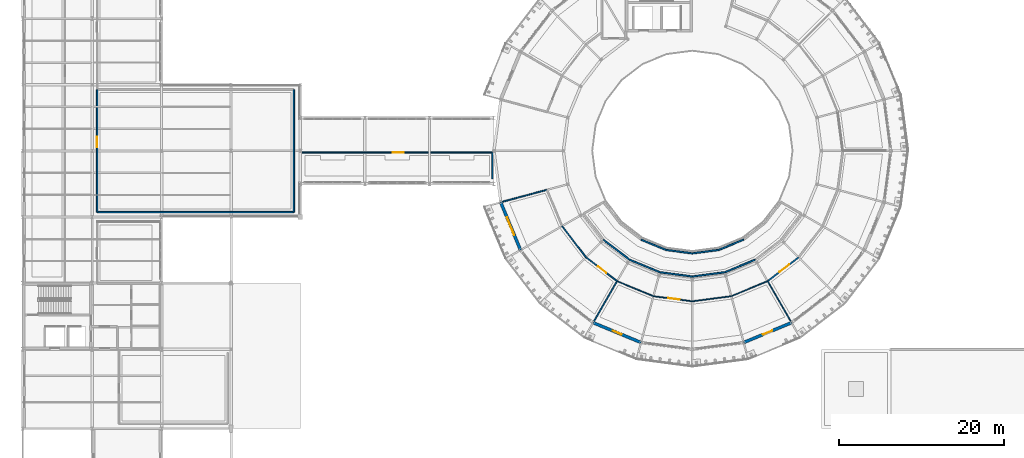
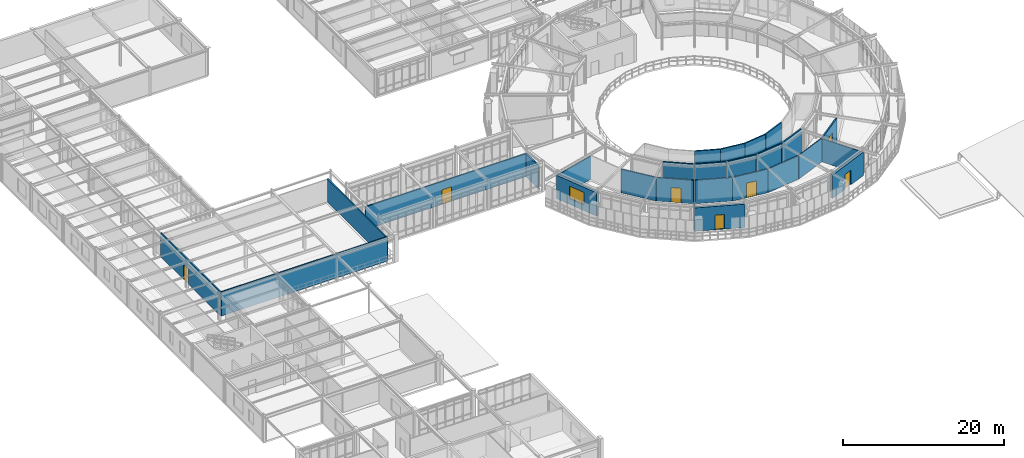
# One storey, part 73 of 90: 27 walls, 7 doors, 1 window, 8 openings.
"""IFC4 building model written with IfcOpenShell, lengths in metres."""

from ifc_helpers import new_model, si_unit, derived_unit, direction, frame, frame_2d, origin, place, context, subcontext, project, spatial, rectangle, extrude, material, layer, layer_set, type_object, element, fill, save


model = new_model("IFC4")

# Units and contexts
model_context = context("Model", 3, precision=1e-05, world=origin(), true_north=direction((0.0, 1.0)))
body_context = subcontext(model_context, "Body", "Model", "MODEL_VIEW")
ifc_project = project(units=[si_unit("LENGTHUNIT", "METRE"), si_unit("AREAUNIT", "SQUARE_METRE"), si_unit("VOLUMEUNIT", "CUBIC_METRE"), si_unit("PLANEANGLEUNIT", "RADIAN"), si_unit("MASSUNIT", "GRAM", prefix="KILO"), derived_unit("THERMALTRANSMITTANCEUNIT", [(si_unit("POWERUNIT", "WATT"), 1), (si_unit("AREAUNIT", "SQUARE_METRE"), -1), (si_unit("THERMODYNAMICTEMPERATUREUNIT", "KELVIN"), -1)])], contexts=[model_context])

# Site, building, storey
site_placement = place(None, origin())
site = spatial("IfcSite", under=ifc_project, at=site_placement, CompositionType="ELEMENT")
building_placement = place(site_placement, origin())
building = spatial("IfcBuilding", under=site, at=building_placement, Name="Yasenodar Specialist Clinic", CompositionType="ELEMENT")
storey_placement = place(building_placement, frame((0.0, 0.0, 9.0)))
storey = spatial("IfcBuildingStorey", under=building, at=storey_placement, Name="L02", CompositionType="ELEMENT", Elevation=9.0)

# Wall, opening, window
ifc_material_1 = material(Name="Drum Insulated Terracotta Chord Wall", Category="masonry")
ifc_layer_1 = layer(ifc_material_1, 0.364990234375)
ifc_layer_set_1 = layer_set([ifc_layer_1], Name="Drum Insulated Terracotta Chord Wall")
wall_type_1 = type_object("IfcWallType", Name="EW-DRUM-365", PredefinedType="SOLIDWALL", material=ifc_layer_set_1)
wall_1_placement = place(storey_placement, frame((60.21533203125, 46.800048828125, 0.0), z_axis=(0.0, 0.0, 1.0), x_axis=(-0.382663829839, 0.9238876519, 0.0)))
wall_1 = element("IfcWall", 1, at=wall_1_placement, inside=storey, type_object=wall_type_1, Name="L02 Exterior Facade Wall 0020", PredefinedType="SOLIDWALL", context=body_context, shape_type="SweptSolid", body=[
    extrude(rectangle(XDim=6.26513671875, YDim=0.364990234375, at=frame_2d((3.132568359375, 0.0))), origin(), (0.0, 0.0, 1.0), 3.5380859375),
])
opening_1_placement = place(wall_1_placement, frame((1.982666015625, 0.0, 0.85009765625)))
opening_1 = element("IfcOpeningElement", 2, at=opening_1_placement, cuts=wall_1, Name="Opening W-18", PredefinedType="OPENING", context=body_context, shape_type="SweptSolid", body=[
    extrude(rectangle(XDim=2.300048828125, YDim=1.89990234375, at=frame_2d((1.14990234375, 0.949951171875))), frame((0.0, 0.1923828125, 0.0), z_axis=(0.0, -1.0, 0.0), x_axis=(1.0, 0.0, 0.0)), (0.0, 0.0, 1.0), 0.385009765625),
])
ifc_material_2 = material(Name="Triple Low-E Argon Glazing in Bronze Aluminium Frame", Category="aluminium")
window_type = type_object("IfcWindowType", Name="WIN-EXT-18", PartitioningType="SINGLE_PANEL", PredefinedType="WINDOW", material=ifc_material_2)
window_placement = place(opening_1_placement, origin())
window = element("IfcWindow", 3, at=window_placement, inside=storey, type_object=window_type, Name="L02 Triple-Glazed Reveal Window 0012", OverallHeight=1.89990234375, OverallWidth=2.300048828125, PartitioningType="SINGLE_PANEL", PredefinedType="WINDOW", context=body_context, shape_type="SweptSolid", body=[
    extrude(rectangle(XDim=2.300048828125, YDim=1.89990234375, at=frame_2d((1.14990234375, 0.949951171875))), frame((0.0, 0.030029296875, 0.0), z_axis=(0.0, -1.0, 0.0), x_axis=(1.0, 0.0, 0.0)), (0.0, 0.0, 1.0), 0.06005859375),
])
fill(opening_1, window)

# Wall, opening, door
wall_2_placement = place(storey_placement, frame((74.788330078125, 35.617919921875, 0.0), z_axis=(0.0, 0.0, 1.0), x_axis=(-0.9238876519, 0.382663829839, 0.0)))
wall_2 = element("IfcWall", 4, at=wall_2_placement, inside=storey, type_object=wall_type_1, Name="L02 Exterior Facade Wall 0021", PredefinedType="SOLIDWALL", context=body_context, shape_type="SweptSolid", body=[
    extrude(rectangle(XDim=6.26513671875, YDim=0.364990234375, at=frame_2d((3.132568359375, 0.0))), origin(), (0.0, 0.0, 1.0), 3.5380859375),
])
opening_2_placement = place(wall_2_placement, frame((2.5576171875, 0.0, 0.0)))
opening_2 = element("IfcOpeningElement", 5, at=opening_2_placement, cuts=wall_2, Name="Opening BD-02", PredefinedType="OPENING", context=body_context, shape_type="SweptSolid", body=[
    extrude(rectangle(XDim=1.14990234375, YDim=2.199951171875, at=frame_2d((0.574951171875, 1.10009765625))), frame((0.0, 0.1923828125, 0.0), z_axis=(0.0, -1.0, 0.0), x_axis=(1.0, 0.0, 0.0)), (0.0, 0.0, 1.0), 0.385009765625),
])
ifc_material_3 = material(Name="Thermally Broken Bronze Anodized Aluminium and Laminated Glass", Category="aluminium")
door_type_1 = type_object("IfcDoorType", Name="DR-BALC-115", OperationType="NOTDEFINED", PredefinedType="DOOR", material=ifc_material_3)
door_1_placement = place(opening_2_placement, origin())
door_1 = element("IfcDoor", 6, at=door_1_placement, inside=storey, type_object=door_type_1, Name="L02 Drum Balcony Access Door Sector 16", OperationType="SINGLE_SWING_LEFT", OverallHeight=2.199951171875, OverallWidth=1.14990234375, PredefinedType="DOOR", context=body_context, shape_type="SweptSolid", body=[
    extrude(rectangle(XDim=1.14990234375, YDim=2.199951171875, at=frame_2d((0.574951171875, 1.10009765625))), frame((0.0, 0.02490234375, 0.0), z_axis=(0.0, -1.0, 0.0), x_axis=(1.0, 0.0, 0.0)), (0.0, 0.0, 1.0), 0.050048828125),
])
fill(opening_2, door_1)

wall_3_placement = place(storey_placement, frame((93.0, 38.015380859375, 0.0), z_axis=(0.0, 0.0, 1.0), x_axis=(-0.9238876519, -0.382663829839, 0.0)))
wall_3 = element("IfcWall", 7, at=wall_3_placement, inside=storey, type_object=wall_type_1, Name="L02 Exterior Facade Wall 0022", PredefinedType="SOLIDWALL", context=body_context, shape_type="SweptSolid", body=[
    extrude(rectangle(XDim=6.26513671875, YDim=0.364990234375, at=frame_2d((3.132568359375, 0.0))), origin(), (0.0, 0.0, 1.0), 3.5380859375),
])
opening_3_placement = place(wall_3_placement, frame((2.522705078125, 0.0, 0.0)))
opening_3 = element("IfcOpeningElement", 8, at=opening_3_placement, cuts=wall_3, Name="Opening BD-03", PredefinedType="OPENING", context=body_context, shape_type="SweptSolid", body=[
    extrude(rectangle(XDim=1.219970703125, YDim=2.219970703125, at=frame_2d((0.60986328125, 1.10986328125))), frame((0.0, 0.1923828125, 0.0), z_axis=(0.0, -1.0, 0.0), x_axis=(1.0, 0.0, 0.0)), (0.0, 0.0, 1.0), 0.385009765625),
])
door_type_2 = type_object("IfcDoorType", Name="DR-BALC-122", OperationType="NOTDEFINED", PredefinedType="DOOR", material=ifc_material_3)
door_2_placement = place(opening_3_placement, origin())
door_2 = element("IfcDoor", 9, at=door_2_placement, inside=storey, type_object=door_type_2, Name="L02 Drum Balcony Access Door Sector 19", OperationType="SINGLE_SWING_RIGHT", OverallHeight=2.219970703125, OverallWidth=1.219970703125, PredefinedType="DOOR", context=body_context, shape_type="SweptSolid", body=[
    extrude(rectangle(XDim=1.219970703125, YDim=2.219970703125, at=frame_2d((0.60986328125, 1.10986328125))), frame((0.0, 0.02490234375, 0.0), z_axis=(0.0, -1.0, 0.0), x_axis=(1.0, 0.0, 0.0)), (0.0, 0.0, 1.0), 0.050048828125),
])
fill(opening_3, door_2)

ifc_material_4 = material(Name="Outpatient Examination Partition")
ifc_layer_2 = layer(ifc_material_4, 0.14990234375)
ifc_layer_set_2 = layer_set([ifc_layer_2], Name="Outpatient Examination Partition")
wall_type_2 = type_object("IfcWallType", Name="IW-CONS-150", PredefinedType="PARTITIONING", material=ifc_layer_set_2)
wall_4_placement = place(storey_placement, frame((68.130615234375, 45.9306640625, 0.0), z_axis=(0.0, 0.0, 1.0), x_axis=(0.793347417989, -0.608769147025, 0.0)))
wall_4 = element("IfcWall", 10, at=wall_4_placement, inside=storey, type_object=wall_type_2, Name="L02 Neurology Day-Infusion Suite Partition", PredefinedType="PARTITIONING", context=body_context, shape_type="SweptSolid", body=[
    extrude(rectangle(XDim=4.751220703125, YDim=0.14990234375, at=frame_2d((2.37548828125, 0.0))), origin(), (0.0, 0.0, 1.0), 3.568115234375),
])
opening_4_placement = place(wall_4_placement, frame((1.82568359375, 0.0, 0.0)))
opening_4 = element("IfcOpeningElement", 11, at=opening_4_placement, cuts=wall_4, Name="Opening D-08", PredefinedType="OPENING", context=body_context, shape_type="SweptSolid", body=[
    extrude(rectangle(XDim=1.280029296875, YDim=2.219970703125, at=frame_2d((0.64013671875, 1.10986328125))), frame((0.0, 0.0849609375, 0.0), z_axis=(0.0, -1.0, 0.0), x_axis=(1.0, 0.0, 0.0)), (0.0, 0.0, 1.0), 0.169921875),
])
ifc_material_5 = material(Name="Powder-Coated Steel and Acoustic Laminate Leaf", Category="steel")
door_type_3 = type_object("IfcDoorType", Name="DR-CLN-128", OperationType="NOTDEFINED", PredefinedType="DOOR", material=ifc_material_5)
door_3_placement = place(opening_4_placement, origin())
door_3 = element("IfcDoor", 12, at=door_3_placement, inside=storey, type_object=door_type_3, Name="L02 Neurology Day-Infusion Suite Door", OperationType="SINGLE_SWING_LEFT", OverallHeight=2.219970703125, OverallWidth=1.280029296875, PredefinedType="DOOR", context=body_context, shape_type="SweptSolid", body=[
    extrude(rectangle(XDim=1.280029296875, YDim=2.219970703125, at=frame_2d((0.64013671875, 1.10986328125))), frame((0.0, 0.02490234375, 0.0), z_axis=(0.0, -1.0, 0.0), x_axis=(1.0, 0.0, 0.0)), (0.0, 0.0, 1.0), 0.050048828125),
])
fill(opening_4, door_3)

# Walls
wall_5_placement = place(storey_placement, frame((65.23828125, 49.699951171875, 0.0), z_axis=(0.0, 0.0, 1.0), x_axis=(0.608769147025, -0.793347417989, 0.0)))
element("IfcWall", 13, at=wall_5_placement, inside=storey, type_object=wall_type_2, Name="L02 Neurology Day-Infusion Suite Partition", PredefinedType="PARTITIONING", context=body_context, shape_type="SweptSolid", body=[
    extrude(rectangle(XDim=4.751220703125, YDim=0.14990234375, at=frame_2d((2.37548828125, 0.0))), origin(), (0.0, 0.0, 1.0), 3.568115234375),
])
for number, where, z_axis, x_axis, name in (
    (14, (71.89990234375, 43.038330078125, 0.0), (0.0, 0.0, 1.0), (-0.499987440211, -0.86603265506, 0.0), "L02 Neurology Day-Infusion Suite Partition"),
    (15, (57.976318359375, 52.630859375, 0.0), (0.0, 0.0, 1.0), (0.965922914043, 0.258829913508, 0.0), "L02 Neurology Day-Infusion Suite Partition"),
):
    element("IfcWall", number, at=place(storey_placement, frame(where, z_axis=z_axis, x_axis=x_axis)), inside=storey, type_object=wall_type_2, Name=name, PredefinedType="PARTITIONING", context=body_context, shape_type="SweptSolid", body=[
        extrude(rectangle(XDim=5.635986328125, YDim=0.14990234375, at=frame_2d((2.81787109375, 0.0))), origin(), (0.0, 0.0, 1.0), 3.5380859375),
    ])

# Wall, opening, door
ifc_material_6 = material(Name="Cleanroom Laboratory Partition")
ifc_layer_3 = layer(ifc_material_6, 0.169921875)
ifc_layer_set_3 = layer_set([ifc_layer_3], Name="Cleanroom Laboratory Partition")
wall_type_3 = type_object("IfcWallType", Name="IW-LAB-170", PredefinedType="PARTITIONING", material=ifc_layer_set_3)
wall_6_placement = place(storey_placement, frame((33.800048828125, 58.60009765625, 0.0), z_axis=(0.0, 0.0, 1.0), x_axis=(1.0, 0.0, 0.0)))
wall_6 = element("IfcWall", 16, at=wall_6_placement, inside=storey, type_object=wall_type_3, Name="L02 Upper Light Bridge Daylit Gallery Partition", PredefinedType="PARTITIONING", context=body_context, shape_type="SweptSolid", body=[
    extrude(rectangle(XDim=23.0, YDim=0.169921875, at=frame_2d((11.5, 0.0))), origin(), (0.0, 0.0, 1.0), 3.47802734375),
])
opening_5_placement = place(wall_6_placement, frame((10.949951171875, 0.0, 0.0)))
opening_5 = element("IfcOpeningElement", 17, at=opening_5_placement, cuts=wall_6, Name="Opening D-11", PredefinedType="OPENING", context=body_context, shape_type="SweptSolid", body=[
    extrude(rectangle(XDim=1.360107421875, YDim=2.199951171875, at=frame_2d((0.68017578125, 1.10009765625))), frame((0.0, 0.094970703125, 0.0), z_axis=(0.0, -1.0, 0.0), x_axis=(1.0, 0.0, 0.0)), (0.0, 0.0, 1.0), 0.18994140625),
])
door_type_4 = type_object("IfcDoorType", Name="DR-PLT-136", OperationType="NOTDEFINED", PredefinedType="DOOR", material=ifc_material_5)
door_4_placement = place(opening_5_placement, origin())
door_4 = element("IfcDoor", 18, at=door_4_placement, inside=storey, type_object=door_type_4, Name="L02 Upper Light Bridge Daylit Gallery Door", OperationType="SINGLE_SWING_LEFT", OverallHeight=2.199951171875, OverallWidth=1.360107421875, PredefinedType="DOOR", context=body_context, shape_type="SweptSolid", body=[
    extrude(rectangle(XDim=1.360107421875, YDim=2.199951171875, at=frame_2d((0.68017578125, 1.10009765625))), frame((0.0, 0.02490234375, 0.0), z_axis=(0.0, -1.0, 0.0), x_axis=(1.0, 0.0, 0.0)), (0.0, 0.0, 1.0), 0.050048828125),
])
fill(opening_5, door_4)

# Wall
wall_7_placement = place(storey_placement, frame((56.800048828125, 58.60009765625, 0.0), z_axis=(0.0, 0.0, 1.0), x_axis=(0.0, -1.0, 0.0)))
element("IfcWall", 19, at=wall_7_placement, inside=storey, type_object=wall_type_3, Name="L02 Upper Light Bridge Daylit Gallery Partition", PredefinedType="PARTITIONING", context=body_context, shape_type="SweptSolid", body=[
    extrude(rectangle(XDim=3.2001953125, YDim=0.169921875, at=frame_2d((1.60009765625, 0.0))), origin(), (0.0, 0.0, 1.0), 3.5380859375),
])

# Wall, opening, door
ifc_material_7 = material(Name="Clinical Sub-Division Partition")
ifc_layer_4 = layer(ifc_material_7, 0.125)
ifc_layer_set_4 = layer_set([ifc_layer_4], Name="Clinical Sub-Division Partition")
wall_type_4 = type_object("IfcWallType", Name="IW-PART-125", PredefinedType="PARTITIONING", material=ifc_layer_set_4)
wall_8_placement = place(storey_placement, frame((76.28955078125, 41.22021484375, 0.0), z_axis=(0.0, 0.0, 1.0), x_axis=(0.991445548214, -0.130520975042, 0.0)))
wall_8 = element("IfcWall", 20, at=wall_8_placement, inside=storey, type_object=wall_type_4, Name="L02 Rheumatology Infusion Suite Partition", PredefinedType="PARTITIONING", context=body_context, shape_type="SweptSolid", body=[
    extrude(rectangle(XDim=4.7509765625, YDim=0.125, at=frame_2d((2.37548828125, 0.0))), origin(), (0.0, 0.0, 1.0), 3.568115234375),
])
opening_6_placement = place(wall_8_placement, frame((1.82568359375, 0.0, 0.0)))
opening_6 = element("IfcOpeningElement", 21, at=opening_6_placement, cuts=wall_8, Name="Opening D-11", PredefinedType="OPENING", context=body_context, shape_type="SweptSolid", body=[
    extrude(rectangle(XDim=1.360107421875, YDim=2.199951171875, at=frame_2d((0.68017578125, 1.10009765625))), frame((0.0, 0.072509765625, 0.0), z_axis=(0.0, -1.0, 0.0), x_axis=(1.0, 0.0, 0.0)), (0.0, 0.0, 1.0), 0.14501953125),
])
door_5_placement = place(opening_6_placement, origin())
door_5 = element("IfcDoor", 22, at=door_5_placement, inside=storey, type_object=door_type_4, Name="L02 Rheumatology Infusion Suite Door", OperationType="SINGLE_SWING_RIGHT", OverallHeight=2.199951171875, OverallWidth=1.360107421875, PredefinedType="DOOR", context=body_context, shape_type="SweptSolid", body=[
    extrude(rectangle(XDim=1.360107421875, YDim=2.199951171875, at=frame_2d((0.68017578125, 1.10009765625))), frame((0.0, 0.02490234375, 0.0), z_axis=(0.0, -1.0, 0.0), x_axis=(1.0, 0.0, 0.0)), (0.0, 0.0, 1.0), 0.050048828125),
])
fill(opening_6, door_5)

# Walls
wall_9_placement = place(storey_placement, frame((81.0, 40.60009765625, 0.0), z_axis=(0.0, 0.0, 1.0), x_axis=(0.991445548214, 0.130520975042, 0.0)))
element("IfcWall", 23, at=wall_9_placement, inside=storey, type_object=wall_type_4, Name="L02 Rheumatology Infusion Suite Partition", PredefinedType="PARTITIONING", context=body_context, shape_type="SweptSolid", body=[
    extrude(rectangle(XDim=4.7509765625, YDim=0.125, at=frame_2d((2.37548828125, 0.0))), origin(), (0.0, 0.0, 1.0), 3.568115234375),
])
wall_10_placement = place(storey_placement, frame((85.71044921875, 41.22021484375, 0.0), z_axis=(0.0, 0.0, 1.0), x_axis=(0.923889703059, 0.382658877568, 0.0)))
element("IfcWall", 24, at=wall_10_placement, inside=storey, type_object=wall_type_4, Name="L02 Rheumatology Infusion Suite Partition", PredefinedType="PARTITIONING", context=body_context, shape_type="SweptSolid", body=[
    extrude(rectangle(XDim=4.751220703125, YDim=0.125, at=frame_2d((2.37548828125, 0.0))), origin(), (0.0, 0.0, 1.0), 3.568115234375),
])
wall_11_placement = place(storey_placement, frame((71.918701171875, 43.030517578125, 0.0), z_axis=(0.0, 0.0, 1.0), x_axis=(0.923891672578, -0.382654122335, 0.0)))
element("IfcWall", 25, at=wall_11_placement, inside=storey, type_object=wall_type_4, Name="L02 Rheumatology Infusion Suite Partition", PredefinedType="PARTITIONING", context=body_context, shape_type="SweptSolid", body=[
    extrude(rectangle(XDim=4.73095703125, YDim=0.125, at=frame_2d((2.365478515625, 0.0))), origin(), (0.0, 0.0, 1.0), 3.568115234375),
])
wall_12_placement = place(storey_placement, frame((90.10009765625, 43.038330078125, 0.0), z_axis=(0.0, 0.0, 1.0), x_axis=(0.499987440211, -0.86603265506, 0.0)))
element("IfcWall", 26, at=wall_12_placement, inside=storey, type_object=wall_type_4, Name="L02 Rheumatology Infusion Suite Partition", PredefinedType="PARTITIONING", context=body_context, shape_type="SweptSolid", body=[
    extrude(rectangle(XDim=5.635986328125, YDim=0.125, at=frame_2d((2.81787109375, 0.0))), origin(), (0.0, 0.0, 1.0), 3.5380859375),
])

# Wall, opening, door
ifc_material_8 = material(Name="Hygienic Double-Stud Clinical Partition")
ifc_layer_5 = layer(ifc_material_8, 0.179931640625)
ifc_layer_set_5 = layer_set([ifc_layer_5], Name="Hygienic Double-Stud Clinical Partition")
wall_type_5 = type_object("IfcWallType", Name="IW-PROC-180", PredefinedType="PARTITIONING", material=ifc_layer_set_5)
wall_13_placement = place(storey_placement, frame((90.115966796875, 43.050537109375, 0.0), z_axis=(0.0, 0.0, 1.0), x_axis=(0.793350477013, 0.608765160487, 0.0)))
wall_13 = element("IfcWall", 27, at=wall_13_placement, inside=storey, type_object=wall_type_5, Name="L02 Post-Infusion Quiet Recovery Lounge Partition", PredefinedType="PARTITIONING", context=body_context, shape_type="SweptSolid", body=[
    extrude(rectangle(XDim=4.731201171875, YDim=0.179931640625, at=frame_2d((2.36572265625, 0.0))), origin(), (0.0, 0.0, 1.0), 3.568115234375),
])
opening_7_placement = place(wall_13_placement, frame((1.8154296875, 0.0, 0.0)))
opening_7 = element("IfcOpeningElement", 28, at=opening_7_placement, cuts=wall_13, Name="Opening D-09", PredefinedType="OPENING", context=body_context, shape_type="SweptSolid", body=[
    extrude(rectangle(XDim=1.47998046875, YDim=2.239990234375, at=frame_2d((0.739990234375, 1.1201171875))), frame((0.0, 0.10009765625, 0.0), z_axis=(0.0, -1.0, 0.0), x_axis=(1.0, 0.0, 0.0)), (0.0, 0.0, 1.0), 0.199951171875),
])
door_type_5 = type_object("IfcDoorType", Name="DR-BED-148", OperationType="DOUBLE_DOOR_SINGLE_SWING", PredefinedType="DOOR", material=ifc_material_5)
door_6_placement = place(opening_7_placement, origin())
door_6 = element("IfcDoor", 29, at=door_6_placement, inside=storey, type_object=door_type_5, Name="L02 Post-Infusion Quiet Recovery Lounge Door", OperationType="DOUBLE_DOOR_SINGLE_SWING", OverallHeight=2.239990234375, OverallWidth=1.47998046875, PredefinedType="DOOR", context=body_context, shape_type="SweptSolid", body=[
    extrude(rectangle(XDim=1.47998046875, YDim=2.239990234375, at=frame_2d((0.739990234375, 1.1201171875))), frame((0.0, 0.02490234375, 0.0), z_axis=(0.0, -1.0, 0.0), x_axis=(1.0, 0.0, 0.0)), (0.0, 0.0, 1.0), 0.050048828125),
])
fill(opening_7, door_6)

# Walls
for number, where, z_axis, x_axis, name in (
    (30, (73.39990234375, 45.636474609375, 0.0), (0.0, 0.0, 1.0), (-0.79335079014, 0.608764752416, 0.0), "L02 Upper Drum Observation Gallery Partition"),
    (31, (88.60009765625, 45.636474609375, 0.0), (0.0, 0.0, 1.0), (-0.923875853046, -0.38269231526, 0.0), "L02 Upper Drum Observation Gallery Partition"),
    (32, (77.06591796875, 44.117919921875, 0.0), (0.0, 0.0, 1.0), (-0.923875853046, 0.38269231526, 0.0), "L02 Upper Drum Observation Gallery Partition"),
    (33, (84.93408203125, 44.117919921875, 0.0), (0.0, 0.0, 1.0), (-0.991448430824, -0.13049907669, 0.0), "L02 Upper Drum Observation Gallery Partition"),
    (34, (81.0, 43.60009765625, 0.0), (0.0, 0.0, 1.0), (-0.991448430824, 0.13049907669, 0.0), "L02 Upper Drum Observation Gallery Partition"),
):
    element("IfcWall", number, at=place(storey_placement, frame(where, z_axis=z_axis, x_axis=x_axis)), inside=storey, type_object=wall_type_5, Name=name, PredefinedType="PARTITIONING", context=body_context, shape_type="SweptSolid", body=[
        extrude(rectangle(XDim=3.968017578125, YDim=0.179931640625, at=frame_2d((1.98388671875, 0.0))), origin(), (0.0, 0.0, 1.0), 3.929931640625),
    ])
for number, where, z_axis, x_axis, name in (
    (35, (74.800048828125, 48.061279296875, 0.0), (0.0, 0.0, 1.0), (0.923871583709, -0.382702621907, 0.0), "L02 Upper Drum Observation Gallery Partition"),
    (36, (84.20947265625, 46.822509765625, 0.0), (0.0, 0.0, 1.0), (0.923871583709, 0.382702621907, 0.0), "L02 Upper Drum Observation Gallery Partition"),
):
    element("IfcWall", number, at=place(storey_placement, frame(where, z_axis=z_axis, x_axis=x_axis)), inside=storey, type_object=wall_type_5, Name=name, PredefinedType="PARTITIONING", context=body_context, shape_type="SweptSolid", body=[
        extrude(rectangle(XDim=3.23681640625, YDim=0.179931640625, at=frame_2d((1.618408203125, 0.0))), origin(), (0.0, 0.0, 1.0), 3.929931640625),
    ])
for number, where, z_axis, x_axis, name in (
    (37, (77.79052734375, 46.822509765625, 0.0), (0.0, 0.0, 1.0), (0.991441969633, -0.130548155289, 0.0), "L02 Upper Drum Observation Gallery Partition"),
    (38, (81.0, 46.39990234375, 0.0), (0.0, 0.0, 1.0), (0.991441969633, 0.130548155289, 0.0), "L02 Upper Drum Observation Gallery Partition"),
):
    element("IfcWall", number, at=place(storey_placement, frame(where, z_axis=z_axis, x_axis=x_axis)), inside=storey, type_object=wall_type_5, Name=name, PredefinedType="PARTITIONING", context=body_context, shape_type="SweptSolid", body=[
        extrude(rectangle(XDim=3.237060546875, YDim=0.179931640625, at=frame_2d((1.61865234375, 0.0))), origin(), (0.0, 0.0, 1.0), 3.929931640625),
    ])

# Wall, opening, door
wall_14_placement = place(storey_placement, frame((9.0, 51.39990234375, 0.0), z_axis=(0.0, 0.0, 1.0), x_axis=(0.0, 1.0, 0.0)))
wall_14 = element("IfcWall", 39, at=wall_14_placement, inside=storey, type_object=wall_type_5, Name="L02 Upper Bridge Outpatient Lounge Partition", PredefinedType="PARTITIONING", context=body_context, shape_type="SweptSolid", body=[
    extrude(rectangle(XDim=14.800048828125, YDim=0.179931640625, at=frame_2d((7.39990234375, 0.0))), origin(), (0.0, 0.0, 1.0), 3.597900390625),
])
opening_8_placement = place(wall_14_placement, frame((7.85009765625, 0.0, 0.0)))
opening_8 = element("IfcOpeningElement", 40, at=opening_8_placement, cuts=wall_14, Name="Opening D-08", PredefinedType="OPENING", context=body_context, shape_type="SweptSolid", body=[
    extrude(rectangle(XDim=1.280029296875, YDim=2.219970703125, at=frame_2d((0.64013671875, 1.10986328125))), frame((0.0, 0.10009765625, 0.0), z_axis=(0.0, -1.0, 0.0), x_axis=(1.0, 0.0, 0.0)), (0.0, 0.0, 1.0), 0.199951171875),
])
door_7_placement = place(opening_8_placement, origin())
door_7 = element("IfcDoor", 41, at=door_7_placement, inside=storey, type_object=door_type_3, Name="L02 Upper Bridge Outpatient Lounge Door", OperationType="SINGLE_SWING_RIGHT", OverallHeight=2.219970703125, OverallWidth=1.280029296875, PredefinedType="DOOR", context=body_context, shape_type="SweptSolid", body=[
    extrude(rectangle(XDim=1.280029296875, YDim=2.219970703125, at=frame_2d((0.64013671875, 1.10986328125))), frame((0.0, 0.02490234375, 0.0), z_axis=(0.0, -1.0, 0.0), x_axis=(1.0, 0.0, 0.0)), (0.0, 0.0, 1.0), 0.050048828125),
])
fill(opening_8, door_7)

# Walls
wall_15_placement = place(storey_placement, frame((32.800048828125, 66.199951171875, 0.0), z_axis=(0.0, 0.0, 1.0), x_axis=(0.0, -1.0, 0.0)))
element("IfcWall", 42, at=wall_15_placement, inside=storey, type_object=wall_type_5, Name="L02 Upper Bridge Outpatient Lounge Partition", PredefinedType="PARTITIONING", context=body_context, shape_type="SweptSolid", body=[
    extrude(rectangle(XDim=14.800048828125, YDim=0.179931640625, at=frame_2d((7.39990234375, 0.0))), origin(), (0.0, 0.0, 1.0), 3.47802734375),
])
wall_16_placement = place(storey_placement, frame((32.800048828125, 51.39990234375, 0.0), z_axis=(0.0, 0.0, 1.0), x_axis=(-1.0, 0.0, 0.0)))
element("IfcWall", 43, at=wall_16_placement, inside=storey, type_object=wall_type_5, Name="L02 Upper Bridge Outpatient Lounge Partition", PredefinedType="PARTITIONING", context=body_context, shape_type="SweptSolid", body=[
    extrude(rectangle(XDim=23.800048828125, YDim=0.179931640625, at=frame_2d((11.89990234375, 0.0))), origin(), (0.0, 0.0, 1.0), 3.6279296875),
])

save(model, "model.ifc")
